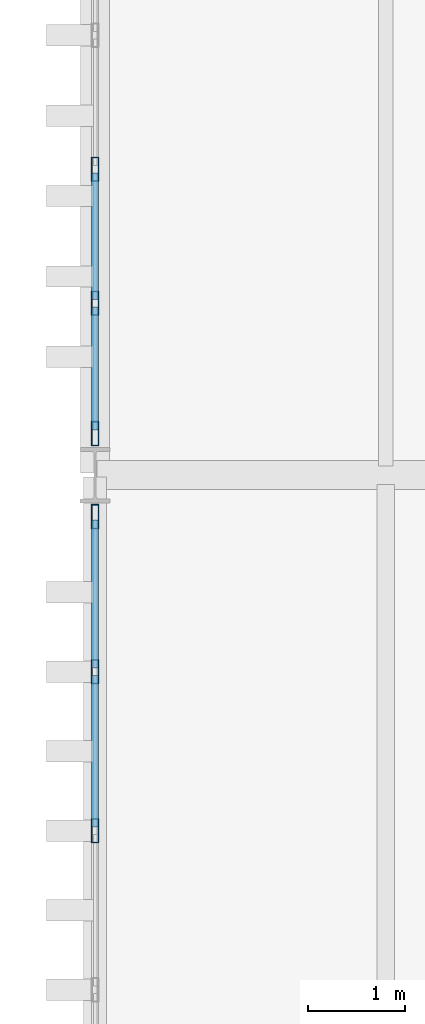
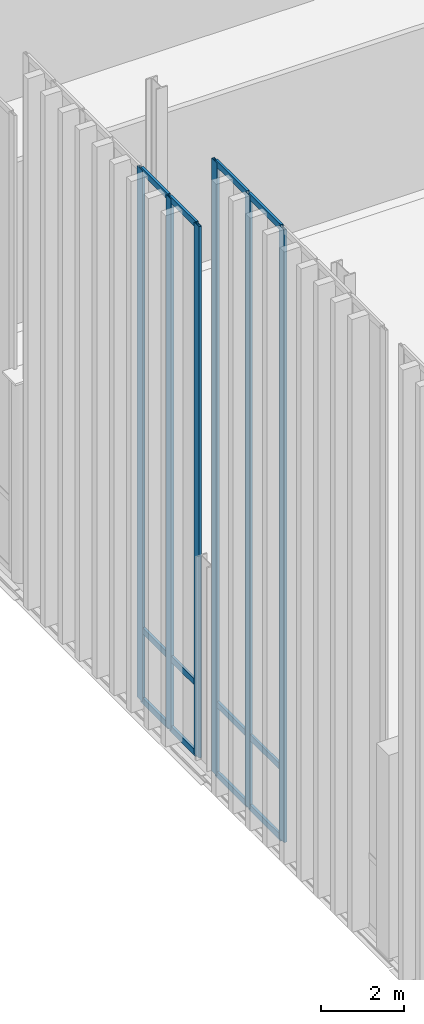
# One storey, part 58 of 237: 18 members, 2 elements without a shape of their own.
"""IFC4 building model written with IfcOpenShell, lengths in metres."""

from ifc_helpers import new_model, si_unit, direction, frame, origin, origin_2d, place, context, subcontext, project, spatial, hollow_rectangle, extrude, material, layer, layer_set, material_profile, profile_set, type_object, element, aggregate, save


model = new_model("IFC4")

# Units and contexts
model_context = context("Model", 3, precision=1e-05, world=origin(), true_north=direction((0.0, 1.0)))
body_context = subcontext(model_context, "Body", "Model", "MODEL_VIEW")
ifc_project = project(units=[si_unit("LENGTHUNIT", "METRE"), si_unit("AREAUNIT", "SQUARE_METRE"), si_unit("VOLUMEUNIT", "CUBIC_METRE"), si_unit("PLANEANGLEUNIT", "RADIAN"), si_unit("MASSUNIT", "GRAM", prefix="KILO")], contexts=[model_context])

# Site, building, storey
site_placement = place(None, origin())
site = spatial("IfcSite", under=ifc_project, at=site_placement, CompositionType="ELEMENT")
building_placement = place(site_placement, origin())
building = spatial("IfcBuilding", under=site, at=building_placement, Name="Barlavento Convention Centre", CompositionType="ELEMENT")
storey_placement = place(building_placement, frame((0.0, 0.0, 12.0)))
storey = spatial("IfcBuildingStorey", under=building, at=storey_placement, Name="L02", CompositionType="ELEMENT", Elevation=12.0)

# Curtain wall, members
ifc_material_1 = material(Name="Powder-coated aluminium and Low-E glass", Category="aluminium")
ifc_layer = layer(ifc_material_1, 0.18994140625)
ifc_layer_set = layer_set([ifc_layer], Name="ARC-CW-CONG-L02")
curtain_wall_type = type_object("IfcCurtainWallType", Name="ARC-CW-CONG-L02", PredefinedType="NOTDEFINED", material=ifc_layer_set)
curtain_wall_1_placement = place(storey_placement, origin())
curtain_wall_1 = element("IfcCurtainWall", 1, at=curtain_wall_1_placement, inside=storey, type_object=curtain_wall_type, Name="L02 unitised curtain wall CW02", PredefinedType="NOTDEFINED")
ifc_material_2 = material(Name="Powder-coated aluminium", Category="aluminium")
ifc_material_profile_1 = material_profile(ifc_material_2, hollow_rectangle(XDim=0.074951171875, YDim=0.25, WallThickness=0.006103515625, at=origin_2d()), Name="AL-MULL 75x250x6")
ifc_profile_set_1 = profile_set([ifc_material_profile_1], Name="Powder-coated aluminium")
member_type_1 = type_object("IfcMemberType", Name="ARC-CWM-75X250", PredefinedType="MULLION", material=ifc_profile_set_1)
member_1_placement = place(storey_placement, frame((0.0, 32.327392578125, 0.0), z_axis=(0.0, 0.0, 1.0), x_axis=(-1.0, 0.0, 0.0)))
member_1 = element("IfcMember", 2, at=member_1_placement, type_object=member_type_1, Name="CW02 mullion 4", PredefinedType="MULLION", context=body_context, shape_type="SweptSolid", body=[
    extrude(hollow_rectangle(XDim=0.074951171875, YDim=0.25, WallThickness=0.006103515625, at=origin_2d()), origin(), (0.0, 0.0, 1.0), 18.037109375),
])
member_2_placement = place(storey_placement, frame((0.0, 33.96826171875, 0.0), z_axis=(0.0, 0.0, 1.0), x_axis=(-1.0, 0.0, 0.0)))
member_2 = element("IfcMember", 3, at=member_2_placement, type_object=member_type_1, Name="CW02 mullion 5", PredefinedType="MULLION", context=body_context, shape_type="SweptSolid", body=[
    extrude(hollow_rectangle(XDim=0.074951171875, YDim=0.25, WallThickness=0.006103515625, at=origin_2d()), origin(), (0.0, 0.0, 1.0), 18.037109375),
])
member_3_placement = place(storey_placement, frame((0.0, 35.571533203125, 0.0), z_axis=(0.0, 0.0, 1.0), x_axis=(-1.0, 0.0, 0.0)))
member_3 = element("IfcMember", 4, at=member_3_placement, type_object=member_type_1, Name="CW02 mullion 6", PredefinedType="MULLION", context=body_context, shape_type="SweptSolid", body=[
    extrude(hollow_rectangle(XDim=0.074951171875, YDim=0.25, WallThickness=0.006103515625, at=origin_2d()), origin(), (0.0, 0.0, 1.0), 18.037109375),
])

curtain_wall_2_placement = place(storey_placement, origin())
curtain_wall_2 = element("IfcCurtainWall", 5, at=curtain_wall_2_placement, inside=storey, type_object=curtain_wall_type, Name="L02 unitised curtain wall CW02", PredefinedType="NOTDEFINED")
member_4_placement = place(storey_placement, frame((0.0, 36.428466796875, 0.0), z_axis=(0.0, 0.0, 1.0), x_axis=(-1.0, 0.0, 0.0)))
member_4 = element("IfcMember", 6, at=member_4_placement, type_object=member_type_1, Name="CW02 mullion 1", PredefinedType="MULLION", context=body_context, shape_type="SweptSolid", body=[
    extrude(hollow_rectangle(XDim=0.074951171875, YDim=0.25, WallThickness=0.006103515625, at=origin_2d()), origin(), (0.0, 0.0, 1.0), 15.64111328125),
])
member_5_placement = place(storey_placement, frame((0.0, 37.7744140625, 0.0), z_axis=(0.0, 0.0, 1.0), x_axis=(-1.0, 0.0, 0.0)))
member_5 = element("IfcMember", 7, at=member_5_placement, type_object=member_type_1, Name="CW02 mullion 2", PredefinedType="MULLION", context=body_context, shape_type="SweptSolid", body=[
    extrude(hollow_rectangle(XDim=0.074951171875, YDim=0.25, WallThickness=0.006103515625, at=origin_2d()), origin(), (0.0, 0.0, 1.0), 15.64111328125),
])
member_6_placement = place(storey_placement, frame((0.0, 39.157958984375, 0.0), z_axis=(0.0, 0.0, 1.0), x_axis=(-1.0, 0.0, 0.0)))
member_6 = element("IfcMember", 8, at=member_6_placement, type_object=member_type_1, Name="CW02 mullion 3", PredefinedType="MULLION", context=body_context, shape_type="SweptSolid", body=[
    extrude(hollow_rectangle(XDim=0.074951171875, YDim=0.25, WallThickness=0.006103515625, at=origin_2d()), origin(), (0.0, 0.0, 1.0), 15.64111328125),
])

# Member
ifc_material_profile_2 = material_profile(ifc_material_2, hollow_rectangle(XDim=0.070068359375, YDim=0.179931640625, WallThickness=0.0048828125, at=origin_2d()), Name="AL-TRAN 70x180x5")
ifc_profile_set_2 = profile_set([ifc_material_profile_2], Name="Powder-coated aluminium")
member_type_2 = type_object("IfcMemberType", Name="ARC-CWT-70X180", PredefinedType="USERDEFINED", material=ifc_profile_set_2)
member_7_placement = place(storey_placement, frame((0.0, 32.364990234375, 0.034912109375), z_axis=(0.0, 1.0, 0.0), x_axis=(-1.0, 0.0, 0.0)))
member_7 = element("IfcMember", 9, at=member_7_placement, type_object=member_type_2, Name="CW02 transom 4.1", ObjectType="TRANSOM", PredefinedType="USERDEFINED", context=body_context, shape_type="SweptSolid", body=[
    extrude(hollow_rectangle(XDim=0.070068359375, YDim=0.179931640625, WallThickness=0.0048828125, at=origin_2d()), origin(), (0.0, 0.0, 1.0), 1.565673828125),
])

member_8_placement = place(storey_placement, frame((0.0, 32.364990234375, 2.10009765625), z_axis=(0.0, 1.0, 0.0), x_axis=(-1.0, 0.0, 0.0)))
member_8 = element("IfcMember", 10, at=member_8_placement, type_object=member_type_2, Name="CW02 transom 4.2", ObjectType="TRANSOM", PredefinedType="USERDEFINED", context=body_context, shape_type="SweptSolid", body=[
    extrude(hollow_rectangle(XDim=0.070068359375, YDim=0.179931640625, WallThickness=0.0048828125, at=origin_2d()), origin(), (0.0, 0.0, 1.0), 1.565673828125),
])

member_9_placement = place(storey_placement, frame((0.0, 32.364990234375, 18.001953125), z_axis=(0.0, 1.0, 0.0), x_axis=(-1.0, 0.0, 0.0)))
member_9 = element("IfcMember", 11, at=member_9_placement, type_object=member_type_2, Name="CW02 transom 4.3", ObjectType="TRANSOM", PredefinedType="USERDEFINED", context=body_context, shape_type="SweptSolid", body=[
    extrude(hollow_rectangle(XDim=0.070068359375, YDim=0.179931640625, WallThickness=0.0048828125, at=origin_2d()), origin(), (0.0, 0.0, 1.0), 1.565673828125),
])

member_10_placement = place(storey_placement, frame((0.0, 34.005615234375, 0.034912109375), z_axis=(0.0, 1.0, 0.0), x_axis=(-1.0, 0.0, 0.0)))
member_10 = element("IfcMember", 12, at=member_10_placement, type_object=member_type_2, Name="CW02 transom 5.1", ObjectType="TRANSOM", PredefinedType="USERDEFINED", context=body_context, shape_type="SweptSolid", body=[
    extrude(hollow_rectangle(XDim=0.070068359375, YDim=0.179931640625, WallThickness=0.0048828125, at=origin_2d()), origin(), (0.0, 0.0, 1.0), 1.5283203125),
])

member_11_placement = place(storey_placement, frame((0.0, 34.005615234375, 2.10009765625), z_axis=(0.0, 1.0, 0.0), x_axis=(-1.0, 0.0, 0.0)))
member_11 = element("IfcMember", 13, at=member_11_placement, type_object=member_type_2, Name="CW02 transom 5.2", ObjectType="TRANSOM", PredefinedType="USERDEFINED", context=body_context, shape_type="SweptSolid", body=[
    extrude(hollow_rectangle(XDim=0.070068359375, YDim=0.179931640625, WallThickness=0.0048828125, at=origin_2d()), origin(), (0.0, 0.0, 1.0), 1.5283203125),
])

member_12_placement = place(storey_placement, frame((0.0, 34.005615234375, 18.001953125), z_axis=(0.0, 1.0, 0.0), x_axis=(-1.0, 0.0, 0.0)))
member_12 = element("IfcMember", 14, at=member_12_placement, type_object=member_type_2, Name="CW02 transom 5.3", ObjectType="TRANSOM", PredefinedType="USERDEFINED", context=body_context, shape_type="SweptSolid", body=[
    extrude(hollow_rectangle(XDim=0.070068359375, YDim=0.179931640625, WallThickness=0.0048828125, at=origin_2d()), origin(), (0.0, 0.0, 1.0), 1.5283203125),
])

aggregate(curtain_wall_1, [member_1, member_2, member_3, member_7, member_8, member_9, member_10, member_11, member_12])

member_13_placement = place(storey_placement, frame((0.0, 36.466064453125, 0.034912109375), z_axis=(0.0, 1.0, 0.0), x_axis=(-1.0, 0.0, 0.0)))
member_13 = element("IfcMember", 15, at=member_13_placement, type_object=member_type_2, Name="CW02 transom 1.1", ObjectType="TRANSOM", PredefinedType="USERDEFINED", context=body_context, shape_type="SweptSolid", body=[
    extrude(hollow_rectangle(XDim=0.070068359375, YDim=0.179931640625, WallThickness=0.0048828125, at=origin_2d()), origin(), (0.0, 0.0, 1.0), 1.27099609375),
])

member_14_placement = place(storey_placement, frame((0.0, 36.466064453125, 2.10009765625), z_axis=(0.0, 1.0, 0.0), x_axis=(-1.0, 0.0, 0.0)))
member_14 = element("IfcMember", 16, at=member_14_placement, type_object=member_type_2, Name="CW02 transom 1.2", ObjectType="TRANSOM", PredefinedType="USERDEFINED", context=body_context, shape_type="SweptSolid", body=[
    extrude(hollow_rectangle(XDim=0.070068359375, YDim=0.179931640625, WallThickness=0.0048828125, at=origin_2d()), origin(), (0.0, 0.0, 1.0), 1.27099609375),
])

member_15_placement = place(storey_placement, frame((0.0, 36.466064453125, 15.60595703125), z_axis=(0.0, 1.0, 0.0), x_axis=(-1.0, 0.0, 0.0)))
member_15 = element("IfcMember", 17, at=member_15_placement, type_object=member_type_2, Name="CW02 transom 1.3", ObjectType="TRANSOM", PredefinedType="USERDEFINED", context=body_context, shape_type="SweptSolid", body=[
    extrude(hollow_rectangle(XDim=0.070068359375, YDim=0.179931640625, WallThickness=0.0048828125, at=origin_2d()), origin(), (0.0, 0.0, 1.0), 1.27099609375),
])

member_16_placement = place(storey_placement, frame((0.0, 37.81201171875, 0.034912109375), z_axis=(0.0, 1.0, 0.0), x_axis=(-1.0, 0.0, 0.0)))
member_16 = element("IfcMember", 18, at=member_16_placement, type_object=member_type_2, Name="CW02 transom 2.1", ObjectType="TRANSOM", PredefinedType="USERDEFINED", context=body_context, shape_type="SweptSolid", body=[
    extrude(hollow_rectangle(XDim=0.070068359375, YDim=0.179931640625, WallThickness=0.0048828125, at=origin_2d()), origin(), (0.0, 0.0, 1.0), 1.308349609375),
])

member_17_placement = place(storey_placement, frame((0.0, 37.81201171875, 2.10009765625), z_axis=(0.0, 1.0, 0.0), x_axis=(-1.0, 0.0, 0.0)))
member_17 = element("IfcMember", 19, at=member_17_placement, type_object=member_type_2, Name="CW02 transom 2.2", ObjectType="TRANSOM", PredefinedType="USERDEFINED", context=body_context, shape_type="SweptSolid", body=[
    extrude(hollow_rectangle(XDim=0.070068359375, YDim=0.179931640625, WallThickness=0.0048828125, at=origin_2d()), origin(), (0.0, 0.0, 1.0), 1.308349609375),
])

member_18_placement = place(storey_placement, frame((0.0, 37.81201171875, 15.60595703125), z_axis=(0.0, 1.0, 0.0), x_axis=(-1.0, 0.0, 0.0)))
member_18 = element("IfcMember", 20, at=member_18_placement, type_object=member_type_2, Name="CW02 transom 2.3", ObjectType="TRANSOM", PredefinedType="USERDEFINED", context=body_context, shape_type="SweptSolid", body=[
    extrude(hollow_rectangle(XDim=0.070068359375, YDim=0.179931640625, WallThickness=0.0048828125, at=origin_2d()), origin(), (0.0, 0.0, 1.0), 1.308349609375),
])

aggregate(curtain_wall_2, [member_4, member_5, member_6, member_13, member_14, member_15, member_16, member_17, member_18])

save(model, "model.ifc")
